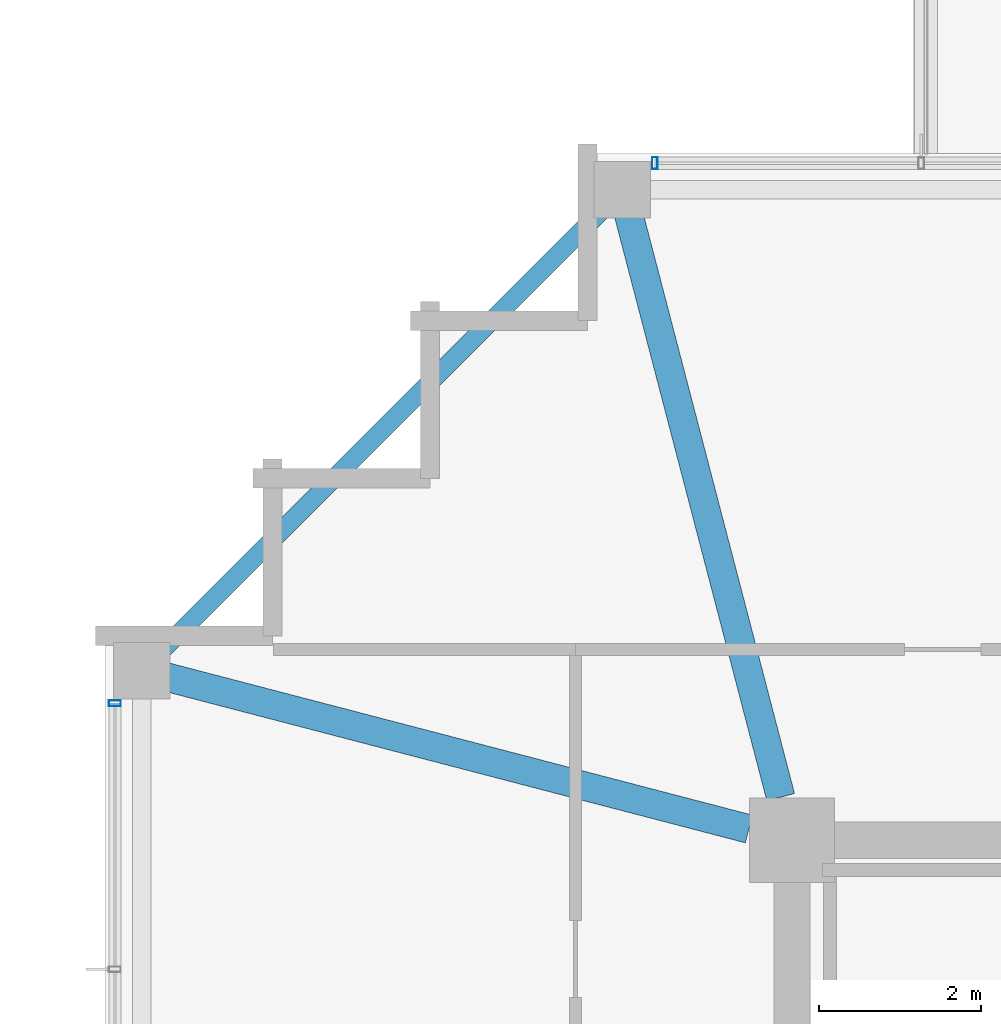
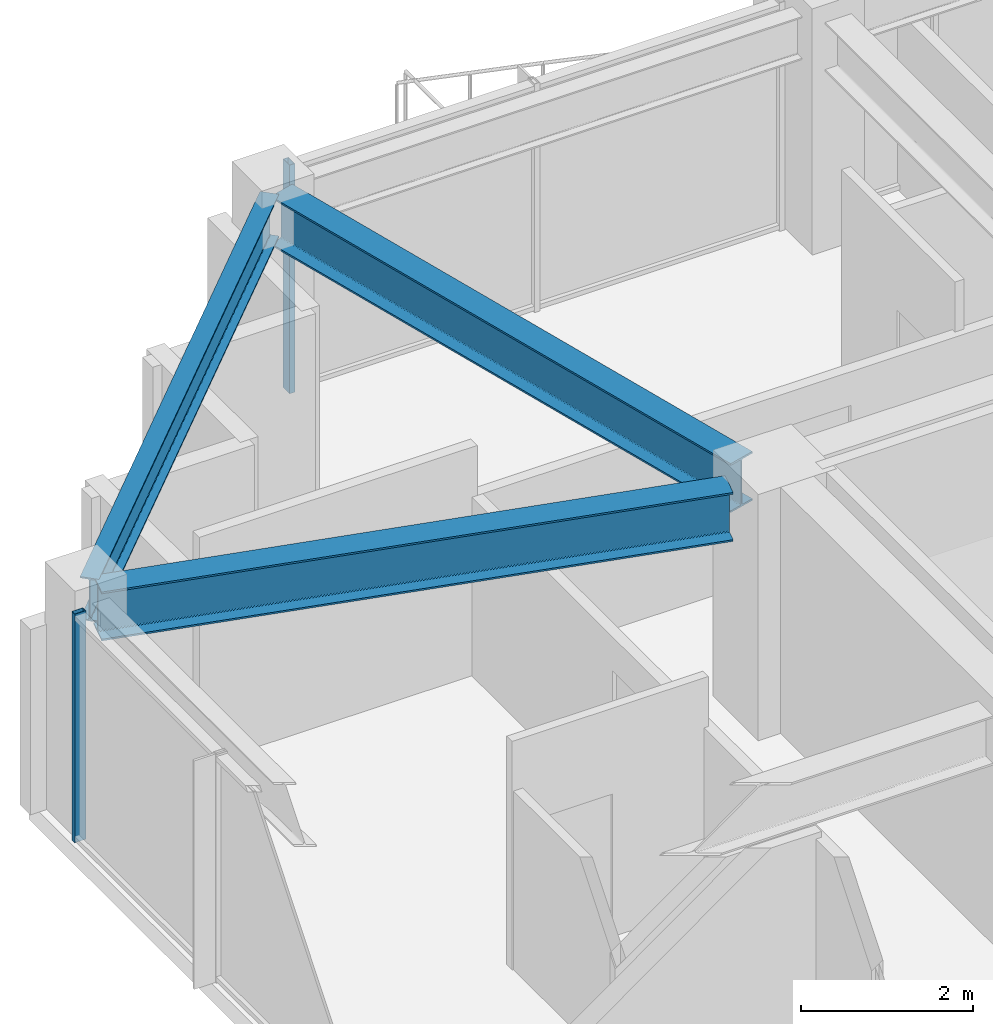
# One storey, part 14 of 31: 3 beams, 2 members, 2 elements without a shape of their own.
"""IFC4 building model written with IfcOpenShell, lengths in metres."""

from ifc_helpers import new_model, si_unit, direction, frame, origin, origin_2d, place, context, subcontext, project, spatial, hollow_rectangle, i_section, extrude, material, material_profile, profile_set, type_object, element, aggregate, save


model = new_model("IFC4")

# Units and contexts
model_context = context("Model", 3, precision=1e-05, world=origin(), true_north=direction((0.0, 1.0)))
body_context = subcontext(model_context, "Body", "Model", "MODEL_VIEW")
ifc_project = project(units=[si_unit("LENGTHUNIT", "METRE"), si_unit("AREAUNIT", "SQUARE_METRE"), si_unit("VOLUMEUNIT", "CUBIC_METRE"), si_unit("PLANEANGLEUNIT", "RADIAN"), si_unit("MASSUNIT", "GRAM", prefix="KILO")], contexts=[model_context])

# Site, building, storey
site_placement = place(None, origin())
site = spatial("IfcSite", under=ifc_project, at=site_placement, CompositionType="ELEMENT")
building_placement = place(site_placement, origin())
building = spatial("IfcBuilding", under=site, at=building_placement, Name="Kolvaren Belvedere", CompositionType="ELEMENT")
storey_placement = place(building_placement, frame((0.0, 0.0, 247.89990234375)))
storey = spatial("IfcBuildingStorey", under=building, at=storey_placement, Name="L72", CompositionType="ELEMENT", Elevation=247.89990234375)

# Beams
ifc_material_1 = material(Name="Structural steel ASTM A992 Grade 50", Category="steel")
ifc_material_profile_1 = material_profile(ifc_material_1, i_section(OverallWidth=0.35498046875, OverallDepth=0.696044921875, WebThickness=0.015380859375, FlangeThickness=0.02490234375, FilletRadius=0.02197265625, at=origin_2d()), Name="W27X146")
ifc_profile_set_1 = profile_set([ifc_material_profile_1], Name="Structural steel ASTM A992 Grade 50")
beam_type_1 = type_object("IfcBeamType", Name="BM-GIRD-W27X146", PredefinedType="BEAM", material=ifc_profile_set_1)
for number, where, z_axis, x_axis, name in (
    (1, (-10.038818359375, 10.43212890625, 2.902099609375), (-0.25241668651, 0.967618631679, 0.0), (-0.967618631679, -0.25241668651, 0.0), "L72 Corner Core-to-Perimeter Girder CC4-N1"),
    (2, (-10.43212890625, 10.038818359375, 2.902099609375), (-0.967618631679, 0.25241668651, 0.0), (-0.25241668651, -0.967618631679, 0.0), "L72 Corner Core-to-Perimeter Girder CC4-W4"),
):
    element("IfcBeam", number, at=place(storey_placement, frame(where, z_axis=z_axis, x_axis=x_axis)), inside=storey, type_object=beam_type_1, Name=name, PredefinedType="BEAM", context=body_context, shape_type="SweptSolid", body=[
        extrude(i_section(OverallWidth=0.35498046875, OverallDepth=0.696044921875, WebThickness=0.015380859375, FlangeThickness=0.02490234375, FilletRadius=0.02197265625, at=origin_2d()), origin(), (0.0, 0.0, 1.0), 7.62939453125),
    ])
ifc_material_2 = material(Name="Structural steel ASTM A992 Grade 50", Category="steel")
ifc_material_profile_2 = material_profile(ifc_material_2, i_section(OverallWidth=0.22900390625, OverallDepth=0.612060546875, WebThickness=0.011962890625, FlangeThickness=0.01953125, FilletRadius=0.01806640625, at=origin_2d()), Name="W24X84")
ifc_profile_set_2 = profile_set([ifc_material_profile_2], Name="Structural steel ASTM A992 Grade 50")
beam_type_2 = type_object("IfcBeamType", Name="BM-SPAN-W24X84", PredefinedType="SPANDREL", material=ifc_profile_set_2)
beam_placement = place(storey_placement, frame((-12.111328125, 17.838623046875, 2.944091796875), z_axis=(-0.707106781187, -0.707106781187, 0.0), x_axis=(0.707106781187, -0.707106781187, 0.0)))
element("IfcBeam", 3, at=beam_placement, inside=storey, type_object=beam_type_2, Name="L72 Perimeter Spandrel N1-W4", PredefinedType="SPANDREL", context=body_context, shape_type="SweptSolid", body=[
    extrude(i_section(OverallWidth=0.22900390625, OverallDepth=0.612060546875, WebThickness=0.011962890625, FlangeThickness=0.01953125, FilletRadius=0.01806640625, at=origin_2d()), origin(), (0.0, 0.0, 1.0), 8.099609375),
])

# Curtain wall, member
ifc_material_3 = material(Name="Anodised pale-metal aluminium AA 6063-T6", Category="aluminium")
curtain_wall_type = type_object("IfcCurtainWallType", Name="CW-Z5-HIGH", PredefinedType="NOTDEFINED", material=ifc_material_3)
curtain_wall_1_placement = place(storey_placement, origin())
curtain_wall_1 = element("IfcCurtainWall", 4, at=curtain_wall_1_placement, inside=storey, type_object=curtain_wall_type, Name="L72 Unitised Curtain Wall FCW-L72-N1-B1", PredefinedType="NOTDEFINED")
ifc_material_4 = material(Name="Anodised pale-metal aluminium AA 6063-T6", Category="aluminium")
ifc_material_profile_3 = material_profile(ifc_material_4, hollow_rectangle(XDim=0.070068359375, YDim=0.14990234375, WallThickness=0.004150390625, at=origin_2d()), Name="ALU-MUL-150X70")
ifc_profile_set_3 = profile_set([ifc_material_profile_3], Name="Anodised pale-metal aluminium AA 6063-T6")
member_type = type_object("IfcMemberType", Name="CW-MUL-150", PredefinedType="MULLION", material=ifc_profile_set_3)
member_1_placement = place(storey_placement, frame((-11.594970703125, 18.280029296875, 0.0), z_axis=(0.0, 0.0, 1.0), x_axis=(1.0, 0.0, 0.0)))
member_1 = element("IfcMember", 5, at=member_1_placement, type_object=member_type, Name="FCW-L72-N1-B1 Unitised Mullion 1", PredefinedType="MULLION", context=body_context, shape_type="SweptSolid", body=[
    extrude(hollow_rectangle(XDim=0.070068359375, YDim=0.14990234375, WallThickness=0.004150390625, at=origin_2d()), origin(), (0.0, 0.0, 1.0), 3.25),
])
aggregate(curtain_wall_1, [member_1])

curtain_wall_2_placement = place(storey_placement, origin())
curtain_wall_2 = element("IfcCurtainWall", 6, at=curtain_wall_2_placement, inside=storey, type_object=curtain_wall_type, Name="L72 Unitised Curtain Wall FCW-L72-W-B3", PredefinedType="NOTDEFINED")
member_2_placement = place(storey_placement, frame((-18.280029296875, 11.594970703125, 0.0), z_axis=(0.0, 0.0, 1.0), x_axis=(0.0, 1.0, 0.0)))
member_2 = element("IfcMember", 7, at=member_2_placement, type_object=member_type, Name="FCW-L72-W-B3 Unitised Mullion 3", PredefinedType="MULLION", context=body_context, shape_type="SweptSolid", body=[
    extrude(hollow_rectangle(XDim=0.070068359375, YDim=0.14990234375, WallThickness=0.004150390625, at=origin_2d()), origin(), (0.0, 0.0, 1.0), 3.25),
])
aggregate(curtain_wall_2, [member_2])

save(model, "model.ifc")
